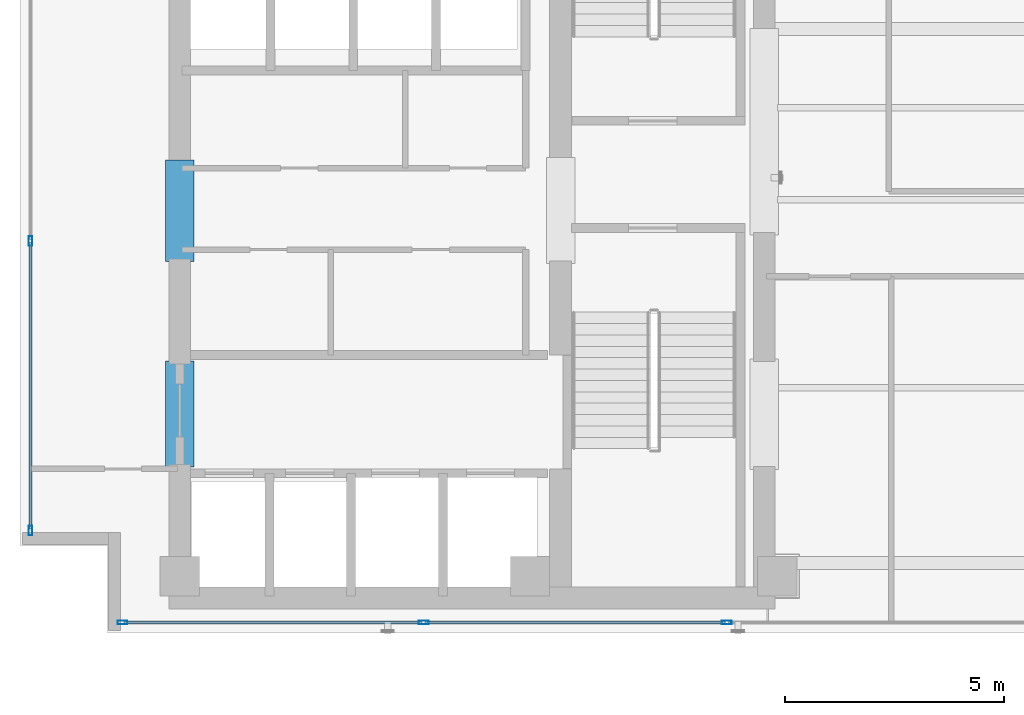
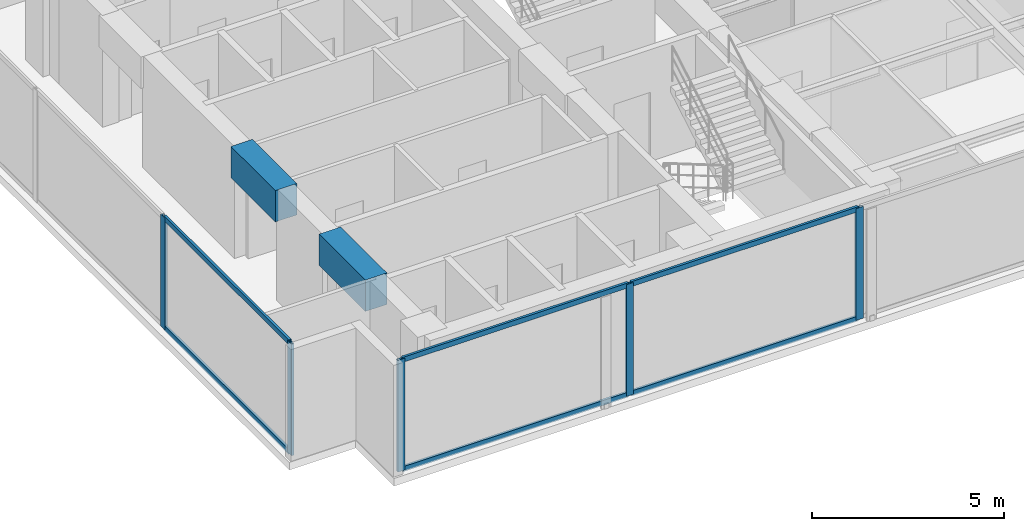
# One storey, part 2 of 24: 11 members, 2 beams, 2 elements without a shape of their own.
"""IFC4 building model written with IfcOpenShell, lengths in metres."""

from ifc_helpers import new_model, si_unit, direction, frame, origin, origin_with_axes, origin_2d, place, context, subcontext, project, spatial, rectangle, hollow_rectangle, extrude, source, transform, mapped, material, layer, layer_set, material_profile, profile_set, type_object, element, aggregate, save


model = new_model("IFC4")

# Units and contexts
model_context = context("Model", 3, precision=1e-05, world=origin(), true_north=direction((0.0, 1.0)))
body_context = subcontext(model_context, "Body", "Model", "MODEL_VIEW")
ifc_project = project(units=[si_unit("LENGTHUNIT", "METRE"), si_unit("AREAUNIT", "SQUARE_METRE"), si_unit("VOLUMEUNIT", "CUBIC_METRE"), si_unit("PLANEANGLEUNIT", "RADIAN"), si_unit("MASSUNIT", "GRAM", prefix="KILO")], contexts=[model_context])

# Site, building, storey
site_placement = place(None, origin())
site = spatial("IfcSite", under=ifc_project, at=site_placement, CompositionType="ELEMENT")
building_placement = place(site_placement, origin())
building = spatial("IfcBuilding", under=site, at=building_placement, Name="Kolvaren Waterfront Exchange", CompositionType="ELEMENT")
storey_placement = place(building_placement, frame((0.0, 0.0, 331.199951171875)))
storey = spatial("IfcBuildingStorey", under=building, at=storey_placement, Name="L85", CompositionType="ELEMENT", Elevation=331.199951171875)

# Beams
ifc_material_1 = material(Name="Concrete C60/75", Category="concrete")
ifc_material_profile_1 = material_profile(ifc_material_1, rectangle(XDim=0.64990234375, YDim=1.0, at=origin_2d()), Name="RC-CB-1000x650")
ifc_profile_set_1 = profile_set([ifc_material_profile_1], Name="Concrete C60/75")
beam_type = type_object("IfcBeamType", Name="STR-CB-1000", PredefinedType="SPANDREL", material=ifc_profile_set_1)
beam_1_placement = place(storey_placement, frame((7.449951171875, 7.389892578125, 3.06005859375), z_axis=(0.0, 1.0, 0.0), x_axis=(-1.0, 0.0, 0.0)))
element("IfcBeam", 1, at=beam_1_placement, inside=storey, type_object=beam_type, Name="L85 core coupling beam 3", PredefinedType="SPANDREL", context=body_context, shape_type="SweptSolid", body=[
    extrude(rectangle(XDim=0.64990234375, YDim=1.0, at=origin_2d()), origin(), (0.0, 0.0, 1.0), 2.420166015625),
])
beam_2_placement = place(storey_placement, frame((7.449951171875, 12.090087890625, 3.06005859375), z_axis=(0.0, 1.0, 0.0), x_axis=(-1.0, 0.0, 0.0)))
element("IfcBeam", 2, at=beam_2_placement, inside=storey, type_object=beam_type, Name="L85 core coupling beam 4", PredefinedType="SPANDREL", context=body_context, shape_type="SweptSolid", body=[
    extrude(rectangle(XDim=0.64990234375, YDim=1.0, at=origin_2d()), origin(), (0.0, 0.0, 1.0), 2.31982421875),
])

# Curtain wall, members
ifc_material_2 = material(Name="Anodised bronze aluminium 6063-T6", Category="aluminium")
ifc_layer_1 = layer(ifc_material_2, 0.219970703125, Name="Anodised bronze aluminium 6063-T6")
ifc_layer_set_1 = layer_set([ifc_layer_1], Name="Anodised bronze aluminium 6063-T6")
curtain_wall_type_1 = type_object("IfcCurtainWallType", Name="ARC-CW-SYS1", PredefinedType="USERDEFINED", material=ifc_layer_set_1)
curtain_wall_1_placement = place(storey_placement, origin())
curtain_wall_1 = element("IfcCurtainWall", 3, at=curtain_wall_1_placement, inside=storey, type_object=curtain_wall_type_1, Name="L85 stick curtain wall CW1 (CW-L85-S)", ObjectType="STICK CURTAIN WALL", PredefinedType="USERDEFINED")
ifc_material_3 = material(Name="Anodised aluminium 6063-T6", Category="aluminium")
ifc_material_profile_2 = material_profile(ifc_material_3, hollow_rectangle(XDim=0.080078125, YDim=0.219970703125, WallThickness=0.0048828125, at=origin_2d()), Name="ALU-MUL-220x80x5")
ifc_profile_set_2 = profile_set([ifc_material_profile_2], Name="Anodised aluminium 6063-T6")
member_type_1 = type_object("IfcMemberType", Name="ARC-CWM-220", PredefinedType="MULLION", material=ifc_profile_set_2)
shared_shape_1 = source(origin_with_axes(), body_context, "Body", "SweptSolid", [
    extrude(hollow_rectangle(XDim=0.080078125, YDim=0.219970703125, WallThickness=0.0048828125, at=origin_2d()), origin(), (0.0, 0.0, 1.0), 3.56005859375),
])
member_1_placement = place(storey_placement, frame((6.139892578125, 3.840087890625, 0.0), z_axis=(0.0, 0.0, 1.0), x_axis=(0.0, 1.0, 0.0)))
member_1 = element("IfcMember", 4, at=member_1_placement, type_object=member_type_1, Name="CW1 mullion 1", PredefinedType="MULLION", context=body_context, shape_type="MappedRepresentation", body=[
    mapped(shared_shape_1, transform((0.0, 0.0, 0.0), x_axis=(1.0, 0.0, 0.0), y_axis=(0.0, 1.0, 0.0), z_axis=(0.0, 0.0, 1.0), scale=1.0)),
])
member_2_placement = place(storey_placement, frame((13.022705078125, 3.840087890625, 0.0), z_axis=(0.0, 0.0, 1.0), x_axis=(0.0, 1.0, 0.0)))
member_2 = element("IfcMember", 5, at=member_2_placement, type_object=member_type_1, Name="CW1 mullion 2", PredefinedType="MULLION", context=body_context, shape_type="MappedRepresentation", body=[
    mapped(shared_shape_1, transform((0.0, 0.0, 0.0), x_axis=(1.0, 0.0, 0.0), y_axis=(0.0, 1.0, 0.0), z_axis=(0.0, 0.0, 1.0), scale=1.0)),
])
member_3_placement = place(storey_placement, frame((19.945556640625, 3.840087890625, 0.0), z_axis=(0.0, 0.0, 1.0), x_axis=(0.0, 1.0, 0.0)))
member_3 = element("IfcMember", 6, at=member_3_placement, type_object=member_type_1, Name="CW1 mullion 3", PredefinedType="MULLION", context=body_context, shape_type="MappedRepresentation", body=[
    mapped(shared_shape_1, transform((0.0, 0.0, 0.0), x_axis=(1.0, 0.0, 0.0), y_axis=(0.0, 1.0, 0.0), z_axis=(0.0, 0.0, 1.0), scale=1.0)),
])

ifc_layer_2 = layer(ifc_material_3, 0.219970703125, Name="Anodised aluminium 6063-T6")
ifc_layer_set_2 = layer_set([ifc_layer_2], Name="Anodised aluminium 6063-T6")
curtain_wall_type_2 = type_object("IfcCurtainWallType", Name="ARC-CW-SYS2", PredefinedType="USERDEFINED", material=ifc_layer_set_2)
curtain_wall_2_placement = place(storey_placement, origin())
curtain_wall_2 = element("IfcCurtainWall", 7, at=curtain_wall_2_placement, inside=storey, type_object=curtain_wall_type_2, Name="L85 stick curtain wall CW2 (CW-L85-W)", ObjectType="STICK CURTAIN WALL", PredefinedType="USERDEFINED")
member_4_placement = place(storey_placement, frame((4.0400390625, 5.93994140625, 0.0), z_axis=(0.0, 0.0, 1.0), x_axis=(-1.0, 0.0, 0.0)))
member_4 = element("IfcMember", 8, at=member_4_placement, type_object=member_type_1, Name="CW2 mullion 1", PredefinedType="MULLION", context=body_context, shape_type="MappedRepresentation", body=[
    mapped(shared_shape_1, transform((0.0, 0.0, 0.0), x_axis=(1.0, 0.0, 0.0), y_axis=(0.0, 1.0, 0.0), z_axis=(0.0, 0.0, 1.0), scale=1.0)),
])
member_5_placement = place(storey_placement, frame((4.0400390625, 12.55615234375, 0.0), z_axis=(0.0, 0.0, 1.0), x_axis=(-1.0, 0.0, 0.0)))
member_5 = element("IfcMember", 9, at=member_5_placement, type_object=member_type_1, Name="CW2 mullion 2", PredefinedType="MULLION", context=body_context, shape_type="MappedRepresentation", body=[
    mapped(shared_shape_1, transform((0.0, 0.0, 0.0), x_axis=(1.0, 0.0, 0.0), y_axis=(0.0, 1.0, 0.0), z_axis=(0.0, 0.0, 1.0), scale=1.0)),
])

# Member
ifc_material_profile_3 = material_profile(ifc_material_3, hollow_rectangle(XDim=0.074951171875, YDim=0.159912109375, WallThickness=0.00439453125, at=origin_2d()), Name="ALU-TRN-160x75x4.5")
ifc_profile_set_3 = profile_set([ifc_material_profile_3], Name="Anodised aluminium 6063-T6")
member_type_2 = type_object("IfcMemberType", Name="ARC-CWT-160", PredefinedType="USERDEFINED", material=ifc_profile_set_3)
shared_shape_2 = source(origin_with_axes(), body_context, "Body", "SweptSolid", [
    extrude(hollow_rectangle(XDim=0.074951171875, YDim=0.159912109375, WallThickness=0.00439453125, at=origin_2d()), origin(), (0.0, 0.0, 1.0), 6.802978515625),
])
member_6_placement = place(storey_placement, frame((6.179931640625, 3.840087890625, 0.03759765625), z_axis=(1.0, 0.0, 0.0), x_axis=(0.0, 1.0, 0.0)))
member_6 = element("IfcMember", 10, at=member_6_placement, type_object=member_type_2, Name="CW1 transom 1.1", ObjectType="TRANSOM", PredefinedType="USERDEFINED", context=body_context, shape_type="MappedRepresentation", body=[
    mapped(shared_shape_2, transform((0.0, 0.0, 0.0), x_axis=(1.0, 0.0, 0.0), y_axis=(0.0, 1.0, 0.0), z_axis=(0.0, 0.0, 1.0), scale=1.0)),
])

member_7_placement = place(storey_placement, frame((6.179931640625, 3.840087890625, 3.5224609375), z_axis=(1.0, 0.0, 0.0), x_axis=(0.0, 1.0, 0.0)))
member_7 = element("IfcMember", 11, at=member_7_placement, type_object=member_type_2, Name="CW1 transom 1.2", ObjectType="TRANSOM", PredefinedType="USERDEFINED", context=body_context, shape_type="MappedRepresentation", body=[
    mapped(shared_shape_2, transform((0.0, 0.0, 0.0), x_axis=(1.0, 0.0, 0.0), y_axis=(0.0, 1.0, 0.0), z_axis=(0.0, 0.0, 1.0), scale=1.0)),
])

shared_shape_3 = source(origin_with_axes(), body_context, "Body", "SweptSolid", [
    extrude(hollow_rectangle(XDim=0.074951171875, YDim=0.159912109375, WallThickness=0.00439453125, at=origin_2d()), origin(), (0.0, 0.0, 1.0), 6.8427734375),
])
member_8_placement = place(storey_placement, frame((13.062744140625, 3.840087890625, 0.03759765625), z_axis=(1.0, 0.0, 0.0), x_axis=(0.0, 1.0, 0.0)))
member_8 = element("IfcMember", 12, at=member_8_placement, type_object=member_type_2, Name="CW1 transom 2.1", ObjectType="TRANSOM", PredefinedType="USERDEFINED", context=body_context, shape_type="MappedRepresentation", body=[
    mapped(shared_shape_3, transform((0.0, 0.0, 0.0), x_axis=(1.0, 0.0, 0.0), y_axis=(0.0, 1.0, 0.0), z_axis=(0.0, 0.0, 1.0), scale=1.0)),
])

member_9_placement = place(storey_placement, frame((13.062744140625, 3.840087890625, 3.5224609375), z_axis=(1.0, 0.0, 0.0), x_axis=(0.0, 1.0, 0.0)))
member_9 = element("IfcMember", 13, at=member_9_placement, type_object=member_type_2, Name="CW1 transom 2.2", ObjectType="TRANSOM", PredefinedType="USERDEFINED", context=body_context, shape_type="MappedRepresentation", body=[
    mapped(shared_shape_3, transform((0.0, 0.0, 0.0), x_axis=(1.0, 0.0, 0.0), y_axis=(0.0, 1.0, 0.0), z_axis=(0.0, 0.0, 1.0), scale=1.0)),
])

aggregate(curtain_wall_1, [member_1, member_2, member_3, member_6, member_7, member_8, member_9])

shared_shape_4 = source(origin_with_axes(), body_context, "Body", "SweptSolid", [
    extrude(hollow_rectangle(XDim=0.074951171875, YDim=0.159912109375, WallThickness=0.00439453125, at=origin_2d()), origin(), (0.0, 0.0, 1.0), 6.5361328125),
])
member_10_placement = place(storey_placement, frame((4.0400390625, 5.97998046875, 0.03759765625), z_axis=(0.0, 1.0, 0.0), x_axis=(-1.0, 0.0, 0.0)))
member_10 = element("IfcMember", 14, at=member_10_placement, type_object=member_type_2, Name="CW2 transom 1.1", ObjectType="TRANSOM", PredefinedType="USERDEFINED", context=body_context, shape_type="MappedRepresentation", body=[
    mapped(shared_shape_4, transform((0.0, 0.0, 0.0), x_axis=(1.0, 0.0, 0.0), y_axis=(0.0, 1.0, 0.0), z_axis=(0.0, 0.0, 1.0), scale=1.0)),
])

member_11_placement = place(storey_placement, frame((4.0400390625, 5.97998046875, 3.5224609375), z_axis=(0.0, 1.0, 0.0), x_axis=(-1.0, 0.0, 0.0)))
member_11 = element("IfcMember", 15, at=member_11_placement, type_object=member_type_2, Name="CW2 transom 1.2", ObjectType="TRANSOM", PredefinedType="USERDEFINED", context=body_context, shape_type="MappedRepresentation", body=[
    mapped(shared_shape_4, transform((0.0, 0.0, 0.0), x_axis=(1.0, 0.0, 0.0), y_axis=(0.0, 1.0, 0.0), z_axis=(0.0, 0.0, 1.0), scale=1.0)),
])

aggregate(curtain_wall_2, [member_4, member_5, member_10, member_11])

save(model, "model.ifc")
